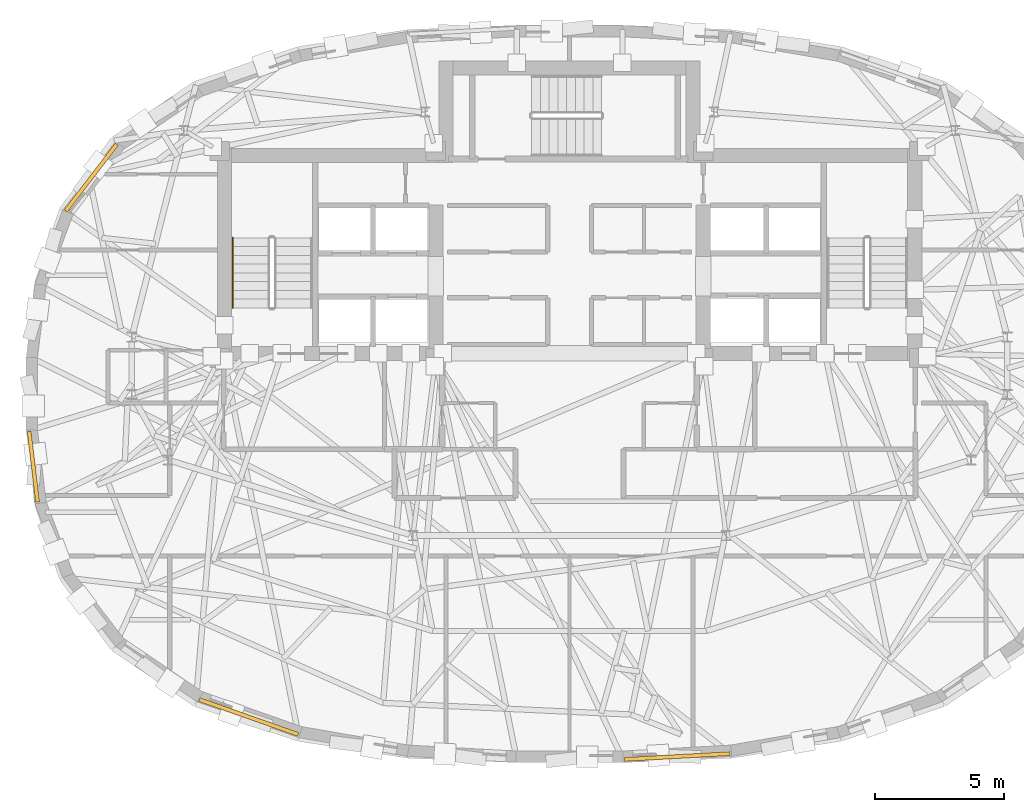
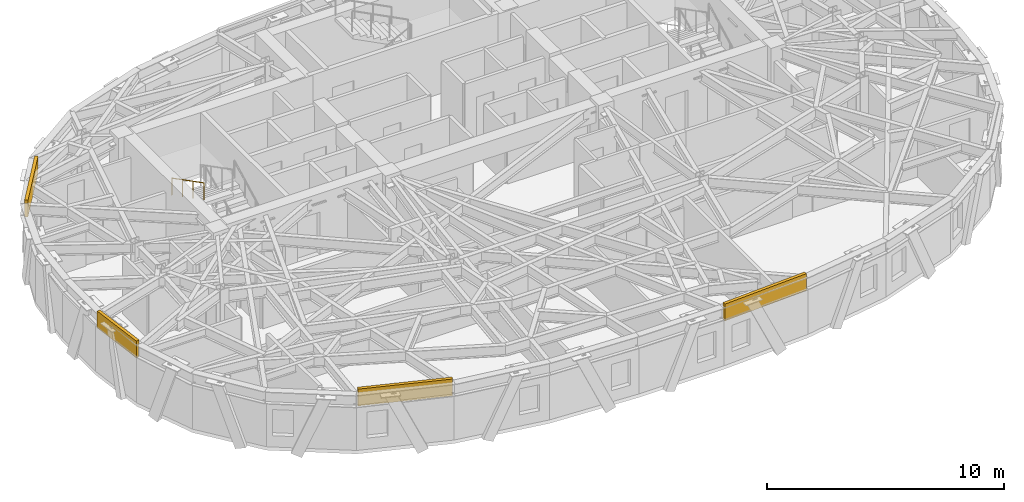
# One storey, part 10 of 12: 4 coverings, 1 railing.
"""IFC4 building model written with IfcOpenShell, lengths in metres."""

from ifc_helpers import new_model, si_unit, direction, frame, origin, origin_2d, place, context, subcontext, project, spatial, rectangle, circle, extrude, material, layer, layer_set, type_object, element, save


model = new_model("IFC4")

# Units and contexts
model_context = context("Model", 3, precision=1e-05, world=origin(), true_north=direction((0.0, 1.0)))
body_context = subcontext(model_context, "Body", "Model", "MODEL_VIEW")
ifc_project = project(units=[si_unit("LENGTHUNIT", "METRE"), si_unit("AREAUNIT", "SQUARE_METRE"), si_unit("VOLUMEUNIT", "CUBIC_METRE"), si_unit("PLANEANGLEUNIT", "RADIAN"), si_unit("MASSUNIT", "GRAM", prefix="KILO")], contexts=[model_context])

# Site, building, storey
site_placement = place(None, origin())
site = spatial("IfcSite", under=ifc_project, at=site_placement, CompositionType="ELEMENT")
building_placement = place(site_placement, origin())
building = spatial("IfcBuilding", under=site, at=building_placement, Name="Keldmark Tower", CompositionType="ELEMENT")
storey_placement = place(building_placement, frame((0.0, 0.0, 247.800048828125)))
storey = spatial("IfcBuildingStorey", under=building, at=storey_placement, Name="L70", CompositionType="ELEMENT", Elevation=247.800048828125)

# Coverings
ifc_material_1 = material(Name="Honed Kasota Buff Dolomitic Limestone", Category="masonry")
ifc_layer = layer(ifc_material_1, 0.074951171875)
ifc_layer_set = layer_set([ifc_layer], Name="Honed Kasota Buff Dolomitic Limestone")
covering_type = type_object("IfcCoveringType", Name="Kasota Buff Limestone Spandrel Cladding Band", PredefinedType="CLADDING", material=ifc_layer_set)
covering_1_placement = place(storey_placement, frame((-18.598388671875, 8.41845703125, 2.260009765625), z_axis=(0.0, 0.0, 1.0), x_axis=(-0.608401354017, -0.793629505771, 0.0)))
element("IfcCovering", 1, at=covering_1_placement, inside=storey, type_object=covering_type, Name="L70 Kasota Limestone Spandrel Band 13", PredefinedType="CLADDING", context=body_context, shape_type="SweptSolid", body=[
    extrude(rectangle(XDim=3.258544921875, YDim=0.14990234375, at=origin_2d()), origin(), (0.0, 0.0, 1.0), 0.8701171875),
])
covering_2_placement = place(storey_placement, frame((-20.853759765625, -2.830810546875, 2.260009765625), z_axis=(0.0, 0.0, 1.0), x_axis=(0.118837219958, -0.992913750108, 0.0)))
element("IfcCovering", 2, at=covering_2_placement, inside=storey, type_object=covering_type, Name="L70 Kasota Limestone Spandrel Band 17", PredefinedType="CLADDING", context=body_context, shape_type="SweptSolid", body=[
    extrude(rectangle(XDim=2.765380859375, YDim=0.14990234375, at=origin_2d()), origin(), (0.0, 0.0, 1.0), 0.8701171875),
])
covering_3_placement = place(storey_placement, frame((-12.477783203125, -12.56591796875, 2.260009765625), z_axis=(0.0, 0.0, 1.0), x_axis=(0.943141467515, -0.332391594739, 0.0)))
element("IfcCovering", 3, at=covering_3_placement, inside=storey, type_object=covering_type, Name="L70 Kasota Limestone Spandrel Band 21", PredefinedType="CLADDING", context=body_context, shape_type="SweptSolid", body=[
    extrude(rectangle(XDim=4.072998046875, YDim=0.14990234375, at=origin_2d()), origin(), (0.0, 0.0, 1.0), 0.8701171875),
])
covering_4_placement = place(storey_placement, frame((4.188232421875, -14.103759765625, 2.260009765625), z_axis=(0.0, 0.0, 1.0), x_axis=(0.998488138237, 0.054967606826, 0.0)))
element("IfcCovering", 4, at=covering_4_placement, inside=storey, type_object=covering_type, Name="L70 Kasota Limestone Spandrel Band 25", PredefinedType="CLADDING", context=body_context, shape_type="SweptSolid", body=[
    extrude(rectangle(XDim=4.11181640625, YDim=0.14990234375, at=origin_2d()), origin(), (0.0, 0.0, 1.0), 0.8701171875),
])

# Railing
ifc_material_2 = material(Name="Stainless Steel AISI 316L", Category="steel")
railing_type = type_object("IfcRailingType", Name="Stainless Steel Stair Handrail 900 mm", PredefinedType="HANDRAIL", material=ifc_material_2)
railing_placement = place(storey_placement, frame((-13.10009765625, 6.070068359375, 1.75)))
element("IfcRailing", 5, at=railing_placement, inside=storey, type_object=railing_type, Name="L70 ST1 stair handrail 2", PredefinedType="HANDRAIL", context=body_context, shape_type="SweptSolid", body=[
    extrude(circle(Radius=0.02392578125, at=origin_2d()), frame((0.0, 0.0, 0.8759765625), z_axis=(0.0, -0.889146794209, 0.457622091194), x_axis=(1.0, 0.0, 0.0)), (0.0, 0.0, 1.0), 3.05908203125),
    extrude(circle(Radius=0.02099609375, at=origin_2d()), origin(), (0.0, 0.0, 1.0), 0.851806640625),
    extrude(circle(Radius=0.02099609375, at=origin_2d()), frame((0.0, -0.90673828125, 0.466552734375)), (0.0, 0.0, 1.0), 0.851806640625),
    extrude(circle(Radius=0.02099609375, at=origin_2d()), frame((0.0, -1.813232421875, 0.933349609375)), (0.0, 0.0, 1.0), 0.851806640625),
    extrude(circle(Radius=0.02099609375, at=origin_2d()), frame((0.0, -2.719970703125, 1.39990234375)), (0.0, 0.0, 1.0), 0.851806640625),
])

save(model, "model.ifc")
